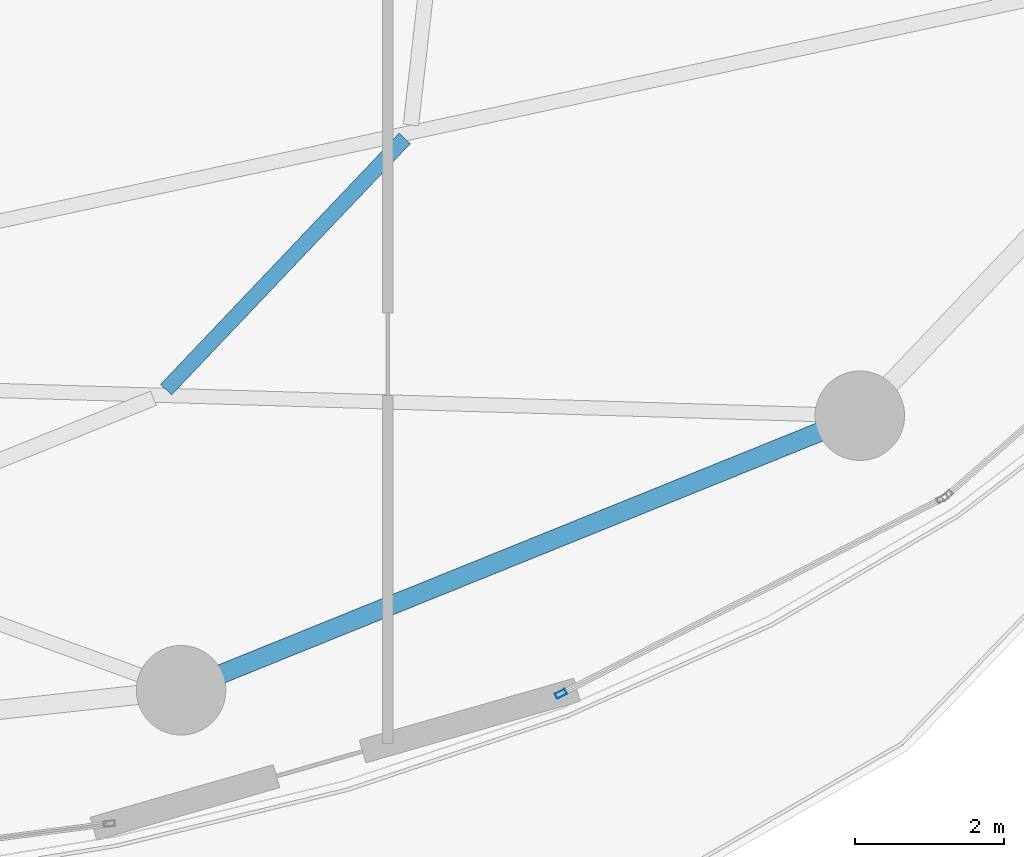
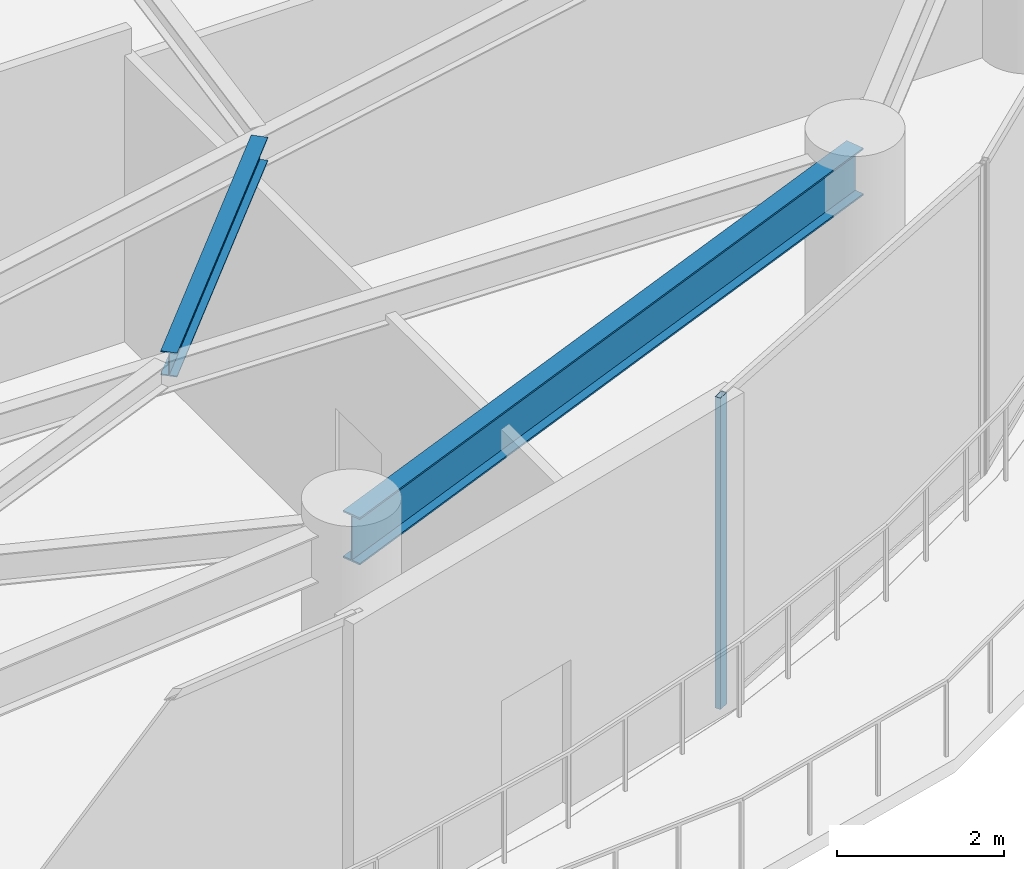
# One storey, part 11 of 30: 2 beams, 1 member, 1 element without a shape of its own.
"""IFC4 building model written with IfcOpenShell, lengths in metres."""

from ifc_helpers import new_model, si_unit, direction, frame, origin, origin_2d, place, context, subcontext, project, spatial, hollow_rectangle, i_section, extrude, material, layer, layer_set, material_profile, profile_set, type_object, element, aggregate, save


model = new_model("IFC4")

# Units and contexts
model_context = context("Model", 3, precision=1e-05, world=origin(), true_north=direction((0.0, 1.0)))
body_context = subcontext(model_context, "Body", "Model", "MODEL_VIEW")
ifc_project = project(units=[si_unit("LENGTHUNIT", "METRE"), si_unit("AREAUNIT", "SQUARE_METRE"), si_unit("VOLUMEUNIT", "CUBIC_METRE"), si_unit("PLANEANGLEUNIT", "RADIAN"), si_unit("MASSUNIT", "GRAM", prefix="KILO")], contexts=[model_context])

# Site, building, storey
site_placement = place(None, origin())
site = spatial("IfcSite", under=ifc_project, at=site_placement, CompositionType="ELEMENT")
building_placement = place(site_placement, origin())
building = spatial("IfcBuilding", under=site, at=building_placement, Name="Kazevale Care Tower and Concert Hall", CompositionType="ELEMENT")
storey_placement = place(building_placement, frame((0.0, 0.0, 97.800048828125)))
storey = spatial("IfcBuildingStorey", under=building, at=storey_placement, Name="L25", CompositionType="ELEMENT", Elevation=97.800048828125)

# Curtain wall, member
ifc_material_1 = material(Name="Aluminium 6063-T6 and Low-E Glass", Category="aluminium")
ifc_layer = layer(ifc_material_1, 0.179931640625)
ifc_layer_set = layer_set([ifc_layer], Name="Aluminium 6063-T6 and Low-E Glass")
curtain_wall_type = type_object("IfcCurtainWallType", Name="Sheltered Concave Balcony Curtain Wall CW-5", PredefinedType="NOTDEFINED", material=ifc_layer_set)
curtain_wall_placement = place(storey_placement, origin())
curtain_wall = element("IfcCurtainWall", 1, at=curtain_wall_placement, inside=storey, type_object=curtain_wall_type, Name="cw:L25:f03", PredefinedType="NOTDEFINED")
ifc_material_2 = material(Name="Aluminium 6063-T6", Category="aluminium")
ifc_material_profile_1 = material_profile(ifc_material_2, hollow_rectangle(XDim=0.074951171875, YDim=0.14990234375, WallThickness=0.00390625, at=origin_2d()), Name="ALU75x150x4")
ifc_profile_set_1 = profile_set([ifc_material_profile_1], Name="Aluminium 6063-T6")
member_type = type_object("IfcMemberType", Name="CW-5 Mullion ALU75x150x4", PredefinedType="MULLION", material=ifc_profile_set_1)
member_placement = place(storey_placement, frame((60.822265625, 19.26220703125, 0.0), z_axis=(0.0, 0.0, 1.0), x_axis=(0.455713236575, -0.890126646051, 0.0)))
member = element("IfcMember", 2, at=member_placement, type_object=member_type, Name="CW-5 mullion 2", PredefinedType="MULLION", context=body_context, shape_type="SweptSolid", body=[
    extrude(hollow_rectangle(XDim=0.074951171875, YDim=0.14990234375, WallThickness=0.00390625, at=origin_2d()), origin(), (0.0, 0.0, 1.0), 4.56005859375),
])
aggregate(curtain_wall, [member])

# Beams
ifc_material_3 = material(Name="Steel ASTM A572 Gr 50", Category="steel")
ifc_material_profile_2 = material_profile(ifc_material_3, i_section(OverallWidth=0.205078125, OverallDepth=0.35400390625, WebThickness=0.009521484375, FlangeThickness=0.016845703125, at=origin_2d()), Name="W360x79")
ifc_profile_set_2 = profile_set([ifc_material_profile_2], Name="Steel ASTM A572 Gr 50")
beam_type_1 = type_object("IfcBeamType", Name="Secondary Floor Joist W360x79", PredefinedType="JOIST", material=ifc_profile_set_2)
beam_1_placement = place(storey_placement, frame((55.529052734375, 23.341064453125, 4.383056640625), z_axis=(0.688792288395, 0.724958746032, 0.0), x_axis=(-0.724958746032, 0.688792288395, 0.0)))
element("IfcBeam", 3, at=beam_1_placement, inside=storey, type_object=beam_type_1, Name="beam:L25:joist:15", PredefinedType="JOIST", context=body_context, shape_type="SweptSolid", body=[
    extrude(i_section(OverallWidth=0.205078125, OverallDepth=0.35400390625, WebThickness=0.009521484375, FlangeThickness=0.016845703125, at=origin_2d()), origin(), (0.0, 0.0, 1.0), 4.644287109375),
])
ifc_material_profile_3 = material_profile(ifc_material_3, i_section(OverallWidth=0.256103515625, OverallDepth=0.693115234375, WebThickness=0.014404296875, FlangeThickness=0.023681640625, at=origin_2d()), Name="W690x170")
ifc_profile_set_3 = profile_set([ifc_material_profile_3], Name="Steel ASTM A572 Gr 50")
beam_type_2 = type_object("IfcBeamType", Name="Waist Ring Beam W690x170", PredefinedType="BEAM", material=ifc_profile_set_3)
beam_2_placement = place(storey_placement, frame((55.72998046875, 19.31005859375, 4.21337890625), z_axis=(0.927068687828, 0.374891515041, 0.0), x_axis=(-0.374891515041, 0.927068687828, 0.0)))
element("IfcBeam", 4, at=beam_2_placement, inside=storey, type_object=beam_type_2, Name="beam:L25:ring:14", PredefinedType="BEAM", context=body_context, shape_type="SweptSolid", body=[
    extrude(i_section(OverallWidth=0.256103515625, OverallDepth=0.693115234375, WebThickness=0.014404296875, FlangeThickness=0.023681640625, at=origin_2d()), origin(), (0.0, 0.0, 1.0), 9.81591796875),
])

save(model, "model.ifc")
